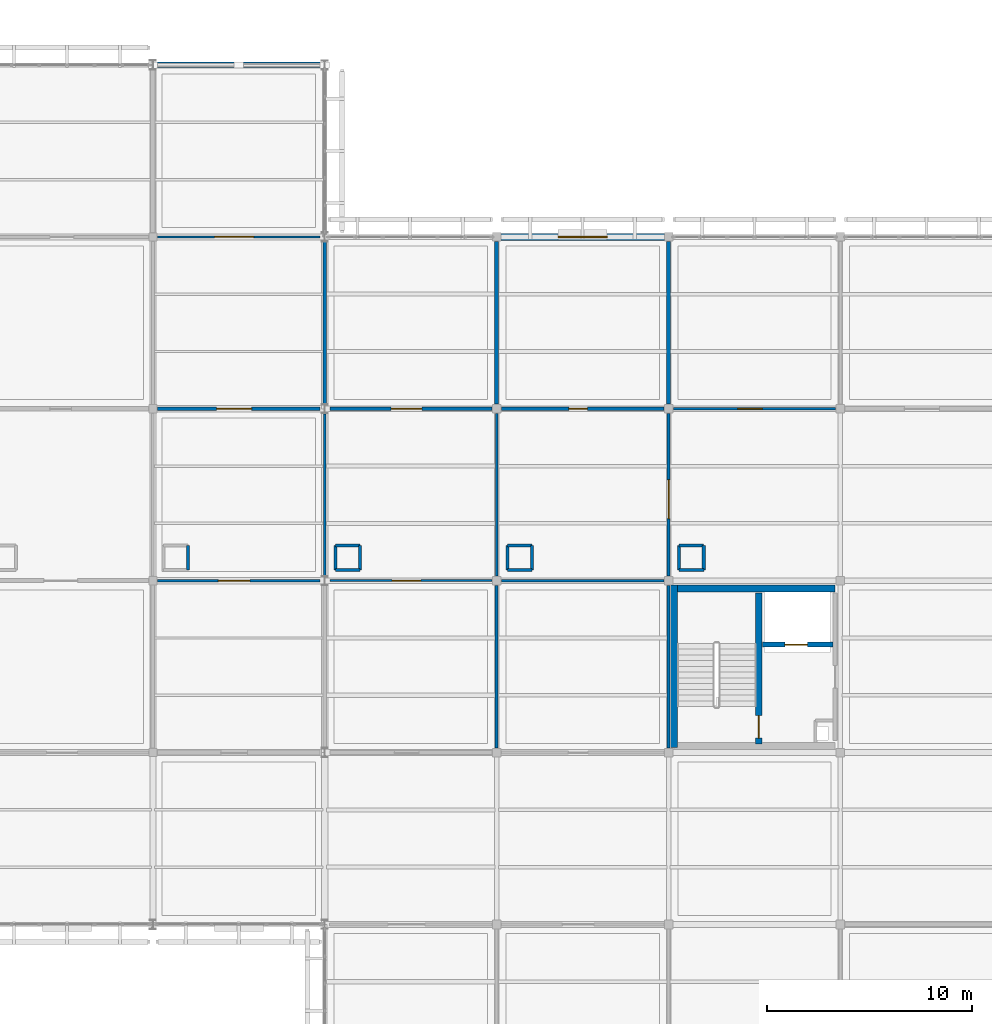
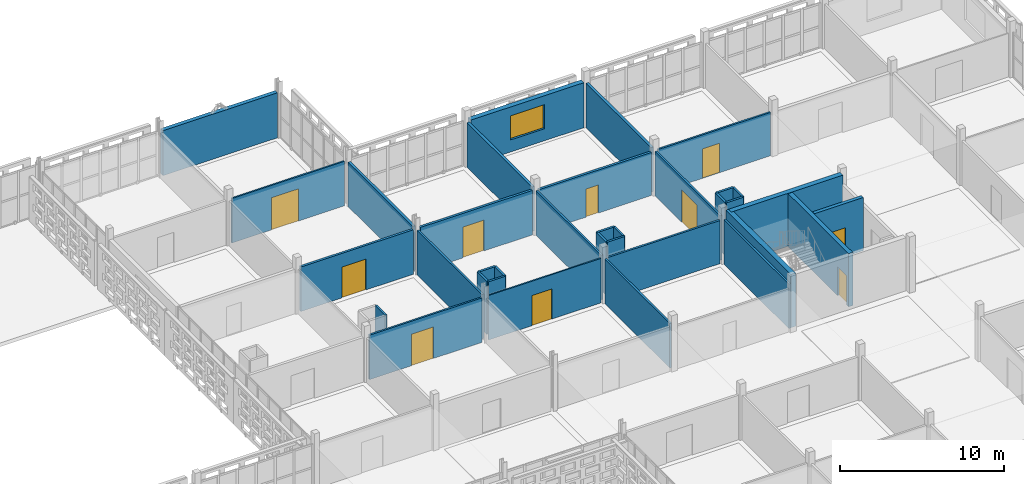
# One storey, part 106 of 166: 35 walls, 10 doors, 1 window, 11 openings.
"""IFC4 building model written with IfcOpenShell, lengths in metres."""

from ifc_helpers import new_model, si_unit, direction, frame, frame_2d, origin, place, context, subcontext, project, spatial, rectangle, extrude, material, layer, layer_set, type_object, element, fill, save


model = new_model("IFC4")

# Units and contexts
model_context = context("Model", 3, precision=1e-05, world=origin(), true_north=direction((0.0, 1.0)))
body_context = subcontext(model_context, "Body", "Model", "MODEL_VIEW")
ifc_project = project(units=[si_unit("LENGTHUNIT", "METRE"), si_unit("AREAUNIT", "SQUARE_METRE"), si_unit("VOLUMEUNIT", "CUBIC_METRE"), si_unit("PLANEANGLEUNIT", "RADIAN"), si_unit("MASSUNIT", "GRAM", prefix="KILO")], contexts=[model_context])

# Site, building, storey
site_placement = place(None, origin())
site = spatial("IfcSite", under=ifc_project, at=site_placement, CompositionType="ELEMENT")
building_placement = place(site_placement, origin())
building = spatial("IfcBuilding", under=site, at=building_placement, Name="Varnapada Polytechnic", CompositionType="ELEMENT")
storey_placement = place(building_placement, frame((0.0, 0.0, 9.60009765625)))
storey = spatial("IfcBuildingStorey", under=building, at=storey_placement, Name="L02", CompositionType="ELEMENT", Elevation=9.60009765625)

# Walls
ifc_material_1 = material(Name="Autoclaved Aerated Concrete Block AAC-600", Category="concrete")
ifc_layer_1 = layer(ifc_material_1, 0.14990234375)
ifc_layer_set_1 = layer_set([ifc_layer_1], Name="Autoclaved Aerated Concrete Block AAC-600")
wall_type_1 = type_object("IfcWallType", Name="Interior Wall IW-02", PredefinedType="PARTITIONING", material=ifc_layer_set_1)
wall_1_placement = place(storey_placement, frame((127.719970703125, 101.320068359375, 0.0), z_axis=(0.0, 0.0, 1.0), x_axis=(0.0, 1.0, 0.0)))
element("IfcWall", 1, at=wall_1_placement, inside=storey, type_object=wall_type_1, Name="L02 enclosed service riser wall (16,13) E", PredefinedType="PARTITIONING", context=body_context, shape_type="SweptSolid", body=[
    extrude(rectangle(XDim=1.199951171875, YDim=0.14990234375, at=frame_2d((0.60009765625, 0.0))), origin(), (0.0, 0.0, 1.0), 3.9599609375),
])
wall_2_placement = place(storey_placement, frame((134.919921875, 101.320068359375, 0.0), z_axis=(0.0, 0.0, 1.0), x_axis=(1.0, 0.0, 0.0)))
element("IfcWall", 2, at=wall_2_placement, inside=storey, type_object=wall_type_1, Name="L02 enclosed service riser wall (17,13) S", PredefinedType="PARTITIONING", context=body_context, shape_type="SweptSolid", body=[
    extrude(rectangle(XDim=1.2001953125, YDim=0.14990234375, at=frame_2d((0.60009765625, 0.0))), origin(), (0.0, 0.0, 1.0), 3.93994140625),
])
wall_3_placement = place(storey_placement, frame((136.1201171875, 101.320068359375, 0.0), z_axis=(0.0, 0.0, 1.0), x_axis=(0.0, 1.0, 0.0)))
element("IfcWall", 3, at=wall_3_placement, inside=storey, type_object=wall_type_1, Name="L02 enclosed service riser wall (17,13) E", PredefinedType="PARTITIONING", context=body_context, shape_type="SweptSolid", body=[
    extrude(rectangle(XDim=1.199951171875, YDim=0.14990234375, at=frame_2d((0.60009765625, 0.0))), origin(), (0.0, 0.0, 1.0), 3.93994140625),
])
wall_4_placement = place(storey_placement, frame((136.1201171875, 102.52001953125, 0.0), z_axis=(0.0, 0.0, 1.0), x_axis=(-1.0, 0.0, 0.0)))
element("IfcWall", 4, at=wall_4_placement, inside=storey, type_object=wall_type_1, Name="L02 enclosed service riser wall (17,13) N", PredefinedType="PARTITIONING", context=body_context, shape_type="SweptSolid", body=[
    extrude(rectangle(XDim=1.2001953125, YDim=0.14990234375, at=frame_2d((0.60009765625, 0.0))), origin(), (0.0, 0.0, 1.0), 3.93994140625),
])
wall_5_placement = place(storey_placement, frame((134.919921875, 102.52001953125, 0.0), z_axis=(0.0, 0.0, 1.0), x_axis=(0.0, -1.0, 0.0)))
element("IfcWall", 5, at=wall_5_placement, inside=storey, type_object=wall_type_1, Name="L02 enclosed service riser wall (17,13) W", PredefinedType="PARTITIONING", context=body_context, shape_type="SweptSolid", body=[
    extrude(rectangle(XDim=1.199951171875, YDim=0.14990234375, at=frame_2d((0.60009765625, 0.0))), origin(), (0.0, 0.0, 1.0), 3.93994140625),
])
for number, where, z_axis, x_axis, name in (
    (6, (143.320068359375, 101.320068359375, 0.0), (0.0, 0.0, 1.0), (1.0, 0.0, 0.0), "L02 enclosed service riser wall (18,13) S"),
    (7, (144.52001953125, 101.320068359375, 0.0), (0.0, 0.0, 1.0), (0.0, 1.0, 0.0), "L02 enclosed service riser wall (18,13) E"),
    (8, (144.52001953125, 102.52001953125, 0.0), (0.0, 0.0, 1.0), (-1.0, 0.0, 0.0), "L02 enclosed service riser wall (18,13) N"),
    (9, (143.320068359375, 102.52001953125, 0.0), (0.0, 0.0, 1.0), (0.0, -1.0, 0.0), "L02 enclosed service riser wall (18,13) W"),
    (10, (151.719970703125, 101.320068359375, 0.0), (0.0, 0.0, 1.0), (1.0, 0.0, 0.0), "L02 enclosed service riser wall (19,13) S"),
    (11, (152.919921875, 101.320068359375, 0.0), (0.0, 0.0, 1.0), (0.0, 1.0, 0.0), "L02 enclosed service riser wall (19,13) E"),
    (12, (152.919921875, 102.52001953125, 0.0), (0.0, 0.0, 1.0), (-1.0, 0.0, 0.0), "L02 enclosed service riser wall (19,13) N"),
    (13, (151.719970703125, 102.52001953125, 0.0), (0.0, 0.0, 1.0), (0.0, -1.0, 0.0), "L02 enclosed service riser wall (19,13) W"),
):
    element("IfcWall", number, at=place(storey_placement, frame(where, z_axis=z_axis, x_axis=x_axis)), inside=storey, type_object=wall_type_1, Name=name, PredefinedType="PARTITIONING", context=body_context, shape_type="SweptSolid", body=[
        extrude(rectangle(XDim=1.199951171875, YDim=0.14990234375, at=frame_2d((0.60009765625, 0.0))), origin(), (0.0, 0.0, 1.0), 3.9599609375),
    ])

# Wall, opening, door
ifc_material_2 = material(Name="Gypsum Plasterboard Acoustic Partition")
ifc_layer_2 = layer(ifc_material_2, 0.125)
ifc_layer_set_2 = layer_set([ifc_layer_2], Name="Gypsum Plasterboard Acoustic Partition")
wall_type_2 = type_object("IfcWallType", Name="Interior Wall IW-03", PredefinedType="PARTITIONING", material=ifc_layer_set_2)
wall_6_placement = place(storey_placement, frame((126.219970703125, 100.800048828125, 0.0), z_axis=(0.0, 0.0, 1.0), x_axis=(1.0, 0.0, 0.0)))
wall_6 = element("IfcWall", 14, at=wall_6_placement, inside=storey, type_object=wall_type_2, Name="L02 interior partition IW-L02-15-11-H", PredefinedType="PARTITIONING", context=body_context, shape_type="SweptSolid", body=[
    extrude(rectangle(XDim=7.93505859375, YDim=0.125, at=frame_2d((3.967529296875, 0.0))), origin(), (0.0, 0.0, 1.0), 3.31982421875),
])
opening_1_placement = place(wall_6_placement, frame((2.97509765625, 0.0, 0.0)))
opening_1 = element("IfcOpeningElement", 15, at=opening_1_placement, cuts=wall_6, Name="Opening D-1149", PredefinedType="OPENING", context=body_context, shape_type="SweptSolid", body=[
    extrude(rectangle(XDim=1.550048828125, YDim=2.35009765625, at=frame_2d((0.77490234375, 1.175048828125))), frame((0.0, 0.072509765625, 0.0), z_axis=(0.0, -1.0, 0.0), x_axis=(1.0, 0.0, 0.0)), (0.0, 0.0, 1.0), 0.14501953125),
])
ifc_material_3 = material(Name="Galvanized Steel Z275", Category="steel")
door_type_1 = type_object("IfcDoorType", Name="Interior Door ID-12", OperationType="NOTDEFINED", PredefinedType="DOOR", material=ifc_material_3)
door_1_placement = place(opening_1_placement, origin())
door_1 = element("IfcDoor", 16, at=door_1_placement, inside=storey, type_object=door_type_1, Name="L02 interior room door D-1149", OperationType="SINGLE_SWING_RIGHT", OverallHeight=2.35009765625, OverallWidth=1.550048828125, PredefinedType="DOOR", context=body_context, shape_type="SweptSolid", body=[
    extrude(rectangle(XDim=1.550048828125, YDim=2.35009765625, at=frame_2d((0.77490234375, 1.175048828125))), frame((0.0, 0.02490234375, 0.0), z_axis=(0.0, -1.0, 0.0), x_axis=(1.0, 0.0, 0.0)), (0.0, 0.0, 1.0), 0.050048828125),
])
fill(opening_1, door_1)

wall_7_placement = place(storey_placement, frame((151.429931640625, 109.199951171875, 0.0), z_axis=(0.0, 0.0, 1.0), x_axis=(1.0, 0.0, 0.0)))
wall_7 = element("IfcWall", 17, at=wall_7_placement, inside=storey, type_object=wall_type_2, Name="L02 interior partition IW-L02-18-12-H", PredefinedType="PARTITIONING", context=body_context, shape_type="SweptSolid", body=[
    extrude(rectangle(XDim=7.940185546875, YDim=0.125, at=frame_2d((3.97021484375, 0.0))), origin(), (0.0, 0.0, 1.0), 3.239990234375),
])
opening_2_placement = place(wall_7_placement, frame((3.14990234375, 0.0, 0.0)))
opening_2 = element("IfcOpeningElement", 18, at=opening_2_placement, cuts=wall_7, Name="Opening D-1176", PredefinedType="OPENING", context=body_context, shape_type="SweptSolid", body=[
    extrude(rectangle(XDim=1.199951171875, YDim=2.199951171875, at=frame_2d((0.60009765625, 1.10009765625))), frame((0.0, 0.072509765625, 0.0), z_axis=(0.0, -1.0, 0.0), x_axis=(1.0, 0.0, 0.0)), (0.0, 0.0, 1.0), 0.14501953125),
])
ifc_material_4 = material(Name="Solid Teak Hardwood Timber", Category="wood")
door_type_2 = type_object("IfcDoorType", Name="Interior Door ID-05", OperationType="NOTDEFINED", PredefinedType="DOOR", material=ifc_material_4)
door_2_placement = place(opening_2_placement, origin())
door_2 = element("IfcDoor", 19, at=door_2_placement, inside=storey, type_object=door_type_2, Name="L02 interior room door D-1176", OperationType="SINGLE_SWING_LEFT", OverallHeight=2.199951171875, OverallWidth=1.199951171875, PredefinedType="DOOR", context=body_context, shape_type="SweptSolid", body=[
    extrude(rectangle(XDim=1.199951171875, YDim=2.199951171875, at=frame_2d((0.60009765625, 1.10009765625))), frame((0.0, 0.02490234375, 0.0), z_axis=(0.0, -1.0, 0.0), x_axis=(1.0, 0.0, 0.0)), (0.0, 0.0, 1.0), 0.050048828125),
])
fill(opening_2, door_2)

# Walls
ifc_material_5 = material(Name="Moisture-Resistant Cement Board Partition")
ifc_layer_3 = layer(ifc_material_5, 0.139892578125)
ifc_layer_set_3 = layer_set([ifc_layer_3], Name="Moisture-Resistant Cement Board Partition")
wall_type_3 = type_object("IfcWallType", Name="Interior Wall IW-04", PredefinedType="PARTITIONING", material=ifc_layer_set_3)
wall_8_placement = place(storey_placement, frame((134.39990234375, 101.044921875, 0.0), z_axis=(0.0, 0.0, 1.0), x_axis=(0.0, 1.0, 0.0)))
element("IfcWall", 20, at=wall_8_placement, inside=storey, type_object=wall_type_3, Name="L02 interior partition IW-L02-15-12-V", PredefinedType="PARTITIONING", context=body_context, shape_type="SweptSolid", body=[
    extrude(rectangle(XDim=7.91015625, YDim=0.139892578125, at=frame_2d((3.955078125, 0.0))), origin(), (0.0, 0.0, 1.0), 3.31982421875),
])
for number, where, z_axis, x_axis, name in (
    (21, (142.800048828125, 92.6298828125, 0.0), (0.0, 0.0, 1.0), (0.0, 1.0, 0.0), "L02 interior partition IW-L02-16-11-V"),
    (22, (151.199951171875, 92.6298828125, 0.0), (0.0, 0.0, 1.0), (0.0, 1.0, 0.0), "L02 interior partition IW-L02-17-11-V"),
):
    element("IfcWall", number, at=place(storey_placement, frame(where, z_axis=z_axis, x_axis=x_axis)), inside=storey, type_object=wall_type_3, Name=name, PredefinedType="PARTITIONING", context=body_context, shape_type="SweptSolid", body=[
        extrude(rectangle(XDim=7.940185546875, YDim=0.139892578125, at=frame_2d((3.97021484375, 0.0))), origin(), (0.0, 0.0, 1.0), 3.31982421875),
    ])
wall_9_placement = place(storey_placement, frame((143.030029296875, 100.800048828125, 0.0), z_axis=(0.0, 0.0, 1.0), x_axis=(1.0, 0.0, 0.0)))
element("IfcWall", 23, at=wall_9_placement, inside=storey, type_object=wall_type_3, Name="L02 interior partition IW-L02-17-11-H", PredefinedType="PARTITIONING", context=body_context, shape_type="SweptSolid", body=[
    extrude(rectangle(XDim=7.93994140625, YDim=0.139892578125, at=frame_2d((3.969970703125, 0.0))), origin(), (0.0, 0.0, 1.0), 3.219970703125),
])

# Wall, opening, door
ifc_material_6 = material(Name="Cross-laminated timber CLT C24", Category="wood")
ifc_layer_4 = layer(ifc_material_6, 0.159912109375)
ifc_layer_set_4 = layer_set([ifc_layer_4], Name="Cross-laminated timber CLT C24")
wall_type_4 = type_object("IfcWallType", Name="Interior Wall IW-05", PredefinedType="PARTITIONING", material=ifc_layer_set_4)
wall_10_placement = place(storey_placement, frame((126.219970703125, 109.199951171875, 0.0), z_axis=(0.0, 0.0, 1.0), x_axis=(1.0, 0.0, 0.0)))
wall_10 = element("IfcWall", 24, at=wall_10_placement, inside=storey, type_object=wall_type_4, Name="L02 interior partition IW-L02-15-12-H", PredefinedType="PARTITIONING", context=body_context, shape_type="SweptSolid", body=[
    extrude(rectangle(XDim=7.93505859375, YDim=0.159912109375, at=frame_2d((3.967529296875, 0.0))), origin(), (0.0, 0.0, 1.0), 3.31982421875),
])
opening_3_placement = place(wall_10_placement, frame((2.89990234375, 0.0, 0.0)))
opening_3 = element("IfcOpeningElement", 25, at=opening_3_placement, cuts=wall_10, Name="Opening D-1150", PredefinedType="OPENING", context=body_context, shape_type="SweptSolid", body=[
    extrude(rectangle(XDim=1.699951171875, YDim=2.300048828125, at=frame_2d((0.85009765625, 1.14990234375))), frame((0.0, 0.08984375, 0.0), z_axis=(0.0, -1.0, 0.0), x_axis=(1.0, 0.0, 0.0)), (0.0, 0.0, 1.0), 0.179931640625),
])
ifc_material_7 = material(Name="Acoustic Double Timber Leaf", Category="wood")
door_type_3 = type_object("IfcDoorType", Name="Interior Door ID-13", OperationType="NOTDEFINED", PredefinedType="DOOR", material=ifc_material_7)
door_3_placement = place(opening_3_placement, origin())
door_3 = element("IfcDoor", 26, at=door_3_placement, inside=storey, type_object=door_type_3, Name="L02 interior room door D-1150", OperationType="SINGLE_SWING_LEFT", OverallHeight=2.300048828125, OverallWidth=1.699951171875, PredefinedType="DOOR", context=body_context, shape_type="SweptSolid", body=[
    extrude(rectangle(XDim=1.699951171875, YDim=2.300048828125, at=frame_2d((0.85009765625, 1.14990234375))), frame((0.0, 0.02490234375, 0.0), z_axis=(0.0, -1.0, 0.0), x_axis=(1.0, 0.0, 0.0)), (0.0, 0.0, 1.0), 0.050048828125),
])
fill(opening_3, door_3)

# Wall
ifc_material_8 = material(Name="Acoustic Double-Stud Studio Partition")
ifc_layer_5 = layer(ifc_material_8, 0.179931640625)
ifc_layer_set_5 = layer_set([ifc_layer_5], Name="Acoustic Double-Stud Studio Partition")
wall_type_5 = type_object("IfcWallType", Name="Interior Wall IW-06", PredefinedType="PARTITIONING", material=ifc_layer_set_5)
wall_11_placement = place(storey_placement, frame((134.39990234375, 109.445068359375, 0.0), z_axis=(0.0, 0.0, 1.0), x_axis=(0.0, 1.0, 0.0)))
element("IfcWall", 27, at=wall_11_placement, inside=storey, type_object=wall_type_5, Name="L02 interior partition IW-L02-15-13-V", PredefinedType="PARTITIONING", context=body_context, shape_type="SweptSolid", body=[
    extrude(rectangle(XDim=7.909912109375, YDim=0.179931640625, at=frame_2d((3.955078125, 0.0))), origin(), (0.0, 0.0, 1.0), 3.31982421875),
])

# Wall, opening, door
ifc_material_9 = material(Name="Glazed Timber-Framed Studio Screen", Category="wood")
ifc_layer_6 = layer(ifc_material_9, 0.110107421875)
ifc_layer_set_6 = layer_set([ifc_layer_6], Name="Glazed Timber-Framed Studio Screen")
wall_type_6 = type_object("IfcWallType", Name="Interior Wall IW-07", PredefinedType="PARTITIONING", material=ifc_layer_set_6)
wall_12_placement = place(storey_placement, frame((126.219970703125, 117.60009765625, 0.0), z_axis=(0.0, 0.0, 1.0), x_axis=(1.0, 0.0, 0.0)))
wall_12 = element("IfcWall", 28, at=wall_12_placement, inside=storey, type_object=wall_type_6, Name="L02 interior partition IW-L02-15-13-H", PredefinedType="PARTITIONING", context=body_context, shape_type="SweptSolid", body=[
    extrude(rectangle(XDim=7.93505859375, YDim=0.110107421875, at=frame_2d((3.967529296875, 0.0))), origin(), (0.0, 0.0, 1.0), 3.31982421875),
])
opening_4_placement = place(wall_12_placement, frame((2.800048828125, 0.0, 0.0)))
opening_4 = element("IfcOpeningElement", 29, at=opening_4_placement, cuts=wall_12, Name="Opening D-1151", PredefinedType="OPENING", context=body_context, shape_type="SweptSolid", body=[
    extrude(rectangle(XDim=1.89990234375, YDim=2.39990234375, at=frame_2d((0.949951171875, 1.199951171875))), frame((0.0, 0.06494140625, 0.0), z_axis=(0.0, -1.0, 0.0), x_axis=(1.0, 0.0, 0.0)), (0.0, 0.0, 1.0), 0.130126953125),
])
ifc_material_10 = material(Name="Heavy Workshop Double Steel Door", Category="steel")
door_type_4 = type_object("IfcDoorType", Name="Interior Door ID-14", OperationType="NOTDEFINED", PredefinedType="DOOR", material=ifc_material_10)
door_4_placement = place(opening_4_placement, frame((1.89990234375, 0.0, 0.0), z_axis=(0.0, 0.0, 1.0), x_axis=(-1.0, 0.0, 0.0)))
door_4 = element("IfcDoor", 30, at=door_4_placement, inside=storey, type_object=door_type_4, Name="L02 interior room door D-1151", OperationType="SINGLE_SWING_RIGHT", OverallHeight=2.39990234375, OverallWidth=1.89990234375, PredefinedType="DOOR", context=body_context, shape_type="SweptSolid", body=[
    extrude(rectangle(XDim=1.89990234375, YDim=2.39990234375, at=frame_2d((0.949951171875, 1.199951171875))), frame((0.0, 0.02490234375, 0.0), z_axis=(0.0, -1.0, 0.0), x_axis=(1.0, 0.0, 0.0)), (0.0, 0.0, 1.0), 0.050048828125),
])
fill(opening_4, door_4)

ifc_material_11 = material(Name="Operable Acoustic Seminar Partition")
ifc_layer_7 = layer(ifc_material_11, 0.10009765625)
ifc_layer_set_7 = layer_set([ifc_layer_7], Name="Operable Acoustic Seminar Partition")
wall_type_7 = type_object("IfcWallType", Name="Interior Wall IW-08", PredefinedType="MOVABLE", material=ifc_layer_set_7)
wall_13_placement = place(storey_placement, frame((134.64501953125, 100.800048828125, 0.0), z_axis=(0.0, 0.0, 1.0), x_axis=(1.0, 0.0, 0.0)))
wall_13 = element("IfcWall", 31, at=wall_13_placement, inside=storey, type_object=wall_type_7, Name="L02 interior partition IW-L02-16-11-H", PredefinedType="MOVABLE", context=body_context, shape_type="SweptSolid", body=[
    extrude(rectangle(XDim=7.925048828125, YDim=0.10009765625, at=frame_2d((3.96240234375, 0.0))), origin(), (0.0, 0.0, 1.0), 3.31982421875),
])
opening_5_placement = place(wall_13_placement, frame((3.050048828125, 0.0, 0.0)))
opening_5 = element("IfcOpeningElement", 32, at=opening_5_placement, cuts=wall_13, Name="Opening D-1160", PredefinedType="OPENING", context=body_context, shape_type="SweptSolid", body=[
    extrude(rectangle(XDim=1.39990234375, YDim=2.25, at=frame_2d((0.699951171875, 1.125))), frame((0.0, 0.06005859375, 0.0), z_axis=(0.0, -1.0, 0.0), x_axis=(1.0, 0.0, 0.0)), (0.0, 0.0, 1.0), 0.1201171875),
])
ifc_material_12 = material(Name="Powder-Coated Aluminium 6063-T6", Category="aluminium")
door_type_5 = type_object("IfcDoorType", Name="Interior Door ID-06", OperationType="NOTDEFINED", PredefinedType="DOOR", material=ifc_material_12)
door_5_placement = place(opening_5_placement, frame((1.39990234375, 0.0, 0.0), z_axis=(0.0, 0.0, 1.0), x_axis=(-1.0, 0.0, 0.0)))
door_5 = element("IfcDoor", 33, at=door_5_placement, inside=storey, type_object=door_type_5, Name="L02 interior room door D-1160", OperationType="SINGLE_SWING_LEFT", OverallHeight=2.25, OverallWidth=1.39990234375, PredefinedType="DOOR", context=body_context, shape_type="SweptSolid", body=[
    extrude(rectangle(XDim=1.39990234375, YDim=2.25, at=frame_2d((0.699951171875, 1.125))), frame((0.0, 0.02490234375, 0.0), z_axis=(0.0, -1.0, 0.0), x_axis=(1.0, 0.0, 0.0)), (0.0, 0.0, 1.0), 0.050048828125),
])
fill(opening_5, door_5)

# Wall
ifc_material_13 = material(Name="Calcium Silicate Acoustic Lab Partition")
ifc_layer_8 = layer(ifc_material_13, 0.135009765625)
ifc_layer_set_8 = layer_set([ifc_layer_8], Name="Calcium Silicate Acoustic Lab Partition")
wall_type_8 = type_object("IfcWallType", Name="Interior Wall IW-09", PredefinedType="PARTITIONING", material=ifc_layer_set_8)
wall_14_placement = place(storey_placement, frame((142.800048828125, 101.030029296875, 0.0), z_axis=(0.0, 0.0, 1.0), x_axis=(0.0, 1.0, 0.0)))
element("IfcWall", 34, at=wall_14_placement, inside=storey, type_object=wall_type_8, Name="L02 interior partition IW-L02-16-12-V", PredefinedType="PARTITIONING", context=body_context, shape_type="SweptSolid", body=[
    extrude(rectangle(XDim=7.93994140625, YDim=0.135009765625, at=frame_2d((3.969970703125, 0.0))), origin(), (0.0, 0.0, 1.0), 3.31982421875),
])

# Wall, opening, door
wall_15_placement = place(storey_placement, frame((151.199951171875, 101.030029296875, 0.0), z_axis=(0.0, 0.0, 1.0), x_axis=(0.0, 1.0, 0.0)))
wall_15 = element("IfcWall", 35, at=wall_15_placement, inside=storey, type_object=wall_type_8, Name="L02 interior partition IW-L02-17-12-V", PredefinedType="PARTITIONING", context=body_context, shape_type="SweptSolid", body=[
    extrude(rectangle(XDim=7.93994140625, YDim=0.135009765625, at=frame_2d((3.969970703125, 0.0))), origin(), (0.0, 0.0, 1.0), 3.31982421875),
])
opening_6_placement = place(wall_15_placement, frame((2.800048828125, 0.0, 0.0)))
opening_6 = element("IfcOpeningElement", 36, at=opening_6_placement, cuts=wall_15, Name="Opening D-1168", PredefinedType="OPENING", context=body_context, shape_type="SweptSolid", body=[
    extrude(rectangle(XDim=1.89990234375, YDim=2.39990234375, at=frame_2d((0.949951171875, 1.199951171875))), frame((0.0, 0.077392578125, 0.0), z_axis=(0.0, -1.0, 0.0), x_axis=(1.0, 0.0, 0.0)), (0.0, 0.0, 1.0), 0.155029296875),
])
door_6_placement = place(opening_6_placement, origin())
door_6 = element("IfcDoor", 37, at=door_6_placement, inside=storey, type_object=door_type_4, Name="L02 interior room door D-1168", OperationType="SINGLE_SWING_LEFT", OverallHeight=2.39990234375, OverallWidth=1.89990234375, PredefinedType="DOOR", context=body_context, shape_type="SweptSolid", body=[
    extrude(rectangle(XDim=1.89990234375, YDim=2.39990234375, at=frame_2d((0.949951171875, 1.199951171875))), frame((0.0, 0.02490234375, 0.0), z_axis=(0.0, -1.0, 0.0), x_axis=(1.0, 0.0, 0.0)), (0.0, 0.0, 1.0), 0.050048828125),
])
fill(opening_6, door_6)

ifc_material_14 = material(Name="Double-Layer Fireboard Workshop Wall")
ifc_layer_9 = layer(ifc_material_14, 0.169921875)
ifc_layer_set_9 = layer_set([ifc_layer_9], Name="Double-Layer Fireboard Workshop Wall")
wall_type_9 = type_object("IfcWallType", Name="Interior Wall IW-10", PredefinedType="PARTITIONING", material=ifc_layer_set_9)
wall_16_placement = place(storey_placement, frame((134.64501953125, 109.199951171875, 0.0), z_axis=(0.0, 0.0, 1.0), x_axis=(1.0, 0.0, 0.0)))
wall_16 = element("IfcWall", 38, at=wall_16_placement, inside=storey, type_object=wall_type_9, Name="L02 interior partition IW-L02-16-12-H", PredefinedType="PARTITIONING", context=body_context, shape_type="SweptSolid", body=[
    extrude(rectangle(XDim=7.925048828125, YDim=0.169921875, at=frame_2d((3.96240234375, 0.0))), origin(), (0.0, 0.0, 1.0), 3.31982421875),
])
opening_7_placement = place(wall_16_placement, frame((3.0, 0.0, 0.0)))
opening_7 = element("IfcOpeningElement", 39, at=opening_7_placement, cuts=wall_16, Name="Opening D-1161", PredefinedType="OPENING", context=body_context, shape_type="SweptSolid", body=[
    extrude(rectangle(XDim=1.5, YDim=2.300048828125, at=frame_2d((0.75, 1.14990234375))), frame((0.0, 0.094970703125, 0.0), z_axis=(0.0, -1.0, 0.0), x_axis=(1.0, 0.0, 0.0)), (0.0, 0.0, 1.0), 0.18994140625),
])
door_type_6 = type_object("IfcDoorType", Name="Interior Door ID-07", OperationType="NOTDEFINED", PredefinedType="DOOR", material=ifc_material_3)
door_7_placement = place(opening_7_placement, origin())
door_7 = element("IfcDoor", 40, at=door_7_placement, inside=storey, type_object=door_type_6, Name="L02 interior room door D-1161", OperationType="SINGLE_SWING_RIGHT", OverallHeight=2.300048828125, OverallWidth=1.5, PredefinedType="DOOR", context=body_context, shape_type="SweptSolid", body=[
    extrude(rectangle(XDim=1.5, YDim=2.300048828125, at=frame_2d((0.75, 1.14990234375))), frame((0.0, 0.02490234375, 0.0), z_axis=(0.0, -1.0, 0.0), x_axis=(1.0, 0.0, 0.0)), (0.0, 0.0, 1.0), 0.050048828125),
])
fill(opening_7, door_7)

wall_17_placement = place(storey_placement, frame((143.030029296875, 109.199951171875, 0.0), z_axis=(0.0, 0.0, 1.0), x_axis=(1.0, 0.0, 0.0)))
wall_17 = element("IfcWall", 41, at=wall_17_placement, inside=storey, type_object=wall_type_9, Name="L02 interior partition IW-L02-17-12-H", PredefinedType="PARTITIONING", context=body_context, shape_type="SweptSolid", body=[
    extrude(rectangle(XDim=7.93994140625, YDim=0.169921875, at=frame_2d((3.969970703125, 0.0))), origin(), (0.0, 0.0, 1.0), 3.2099609375),
])
opening_8_placement = place(wall_17_placement, frame((3.300048828125, 0.0, 0.0)))
opening_8 = element("IfcOpeningElement", 42, at=opening_8_placement, cuts=wall_17, Name="Opening D-1169", PredefinedType="OPENING", context=body_context, shape_type="SweptSolid", body=[
    extrude(rectangle(XDim=0.89990234375, YDim=2.10009765625, at=frame_2d((0.449951171875, 1.050048828125))), frame((0.0, 0.094970703125, 0.0), z_axis=(0.0, -1.0, 0.0), x_axis=(1.0, 0.0, 0.0)), (0.0, 0.0, 1.0), 0.18994140625),
])
ifc_material_15 = material(Name="Moisture-Resistant HPL Timber", Category="wood")
door_type_7 = type_object("IfcDoorType", Name="Interior Door ID-15", OperationType="NOTDEFINED", PredefinedType="DOOR", material=ifc_material_15)
door_8_placement = place(opening_8_placement, frame((0.89990234375, 0.0, 0.0), z_axis=(0.0, 0.0, 1.0), x_axis=(-1.0, 0.0, 0.0)))
door_8 = element("IfcDoor", 43, at=door_8_placement, inside=storey, type_object=door_type_7, Name="L02 interior room door D-1169", OperationType="SINGLE_SWING_RIGHT", OverallHeight=2.10009765625, OverallWidth=0.89990234375, PredefinedType="DOOR", context=body_context, shape_type="SweptSolid", body=[
    extrude(rectangle(XDim=0.89990234375, YDim=2.10009765625, at=frame_2d((0.449951171875, 1.050048828125))), frame((0.0, 0.02490234375, 0.0), z_axis=(0.0, -1.0, 0.0), x_axis=(1.0, 0.0, 0.0)), (0.0, 0.0, 1.0), 0.050048828125),
])
fill(opening_8, door_8)

# Walls
ifc_material_16 = material(Name="Insulated Masonry Plant Room Wall", Category="masonry")
ifc_layer_10 = layer(ifc_material_16, 0.18994140625)
ifc_layer_set_10 = layer_set([ifc_layer_10], Name="Insulated Masonry Plant Room Wall")
wall_type_10 = type_object("IfcWallType", Name="Interior Wall IW-11", PredefinedType="PARTITIONING", material=ifc_layer_set_10)
for number, where, z_axis, x_axis, name in (
    (44, (142.800048828125, 109.429931640625, 0.0), (0.0, 0.0, 1.0), (0.0, 1.0, 0.0), "L02 interior partition IW-L02-16-13-V"),
    (45, (151.199951171875, 109.429931640625, 0.0), (0.0, 0.0, 1.0), (0.0, 1.0, 0.0), "L02 interior partition IW-L02-17-13-V"),
):
    element("IfcWall", number, at=place(storey_placement, frame(where, z_axis=z_axis, x_axis=x_axis)), inside=storey, type_object=wall_type_10, Name=name, PredefinedType="PARTITIONING", context=body_context, shape_type="SweptSolid", body=[
        extrude(rectangle(XDim=7.940185546875, YDim=0.18994140625, at=frame_2d((3.97021484375, 0.0))), origin(), (0.0, 0.0, 1.0), 3.31982421875),
    ])
ifc_material_17 = material(Name="Concrete C40/50", Category="concrete")
ifc_layer_11 = layer(ifc_material_17, 0.35009765625)
ifc_layer_set_11 = layer_set([ifc_layer_11], Name="Concrete C40/50")
wall_type_11 = type_object("IfcWallType", Name="Interior Wall SW-01", PredefinedType="SHEAR", material=ifc_layer_set_11)
wall_18_placement = place(storey_placement, frame((151.465087890625, 92.64990234375, 0.0), z_axis=(0.0, 0.0, 1.0), x_axis=(0.0, 1.0, 0.0)))
element("IfcWall", 46, at=wall_18_placement, inside=storey, type_object=wall_type_11, Name="L02 C5 stair west shear wall", PredefinedType="SHEAR", context=body_context, shape_type="SweptSolid", body=[
    extrude(rectangle(XDim=7.940185546875, YDim=0.35009765625, at=frame_2d((3.97021484375, 0.0))), origin(), (0.0, 0.0, 1.0), 3.9599609375),
])
wall_19_placement = place(storey_placement, frame((151.465087890625, 100.419921875, 0.0), z_axis=(0.0, 0.0, 1.0), x_axis=(1.0, 0.0, 0.0)))
element("IfcWall", 47, at=wall_19_placement, inside=storey, type_object=wall_type_11, Name="L02 C5 core north shear wall", PredefinedType="SHEAR", context=body_context, shape_type="SweptSolid", body=[
    extrude(rectangle(XDim=7.875, YDim=0.35009765625, at=frame_2d((3.9375, 0.0))), origin(), (0.0, 0.0, 1.0), 3.9599609375),
])

# Wall, opening, door
ifc_layer_12 = layer(ifc_material_17, 0.300048828125)
ifc_layer_set_12 = layer_set([ifc_layer_12], Name="Concrete C40/50")
wall_type_12 = type_object("IfcWallType", Name="Interior Wall SW-02", PredefinedType="SHEAR", material=ifc_layer_set_12)
wall_20_placement = place(storey_placement, frame((155.610107421875, 92.820068359375, 0.0), z_axis=(0.0, 0.0, 1.0), x_axis=(0.0, 1.0, 0.0)))
wall_20 = element("IfcWall", 48, at=wall_20_placement, inside=storey, type_object=wall_type_12, Name="L02 C5 stair-lobby dividing shear wall", PredefinedType="SHEAR", context=body_context, shape_type="SweptSolid", body=[
    extrude(rectangle(XDim=7.3798828125, YDim=0.300048828125, at=frame_2d((3.68994140625, 0.0))), origin(), (0.0, 0.0, 1.0), 3.9599609375),
])
opening_9_placement = place(wall_20_placement, frame((0.280029296875, 0.0, 0.0)))
opening_9 = element("IfcOpeningElement", 49, at=opening_9_placement, cuts=wall_20, Name="Opening D-1095", PredefinedType="OPENING", context=body_context, shape_type="SweptSolid", body=[
    extrude(rectangle(XDim=1.10009765625, YDim=2.14990234375, at=frame_2d((0.550048828125, 1.074951171875))), frame((0.0, 0.159912109375, 0.0), z_axis=(0.0, -1.0, 0.0), x_axis=(1.0, 0.0, 0.0)), (0.0, 0.0, 1.0), 0.320068359375),
])
door_type_8 = type_object("IfcDoorType", Name="Interior Door ID-01", OperationType="NOTDEFINED", PredefinedType="DOOR", material=ifc_material_3)
door_9_placement = place(opening_9_placement, origin())
door_9 = element("IfcDoor", 50, at=door_9_placement, inside=storey, type_object=door_type_8, Name="L02 C5 exit stair door D-1095", OperationType="SINGLE_SWING_RIGHT", OverallHeight=2.14990234375, OverallWidth=1.10009765625, PredefinedType="DOOR", context=body_context, shape_type="SweptSolid", body=[
    extrude(rectangle(XDim=1.10009765625, YDim=2.14990234375, at=frame_2d((0.550048828125, 1.074951171875))), frame((0.0, 0.02490234375, 0.0), z_axis=(0.0, -1.0, 0.0), x_axis=(1.0, 0.0, 0.0)), (0.0, 0.0, 1.0), 0.050048828125),
])
fill(opening_9, door_9)

ifc_layer_13 = layer(ifc_material_17, 0.25)
ifc_layer_set_13 = layer_set([ifc_layer_13], Name="Concrete C40/50")
wall_type_13 = type_object("IfcWallType", Name="Interior Wall SW-05", PredefinedType="SHEAR", material=ifc_layer_set_13)
wall_21_placement = place(storey_placement, frame((155.780029296875, 97.679931640625, 0.0), z_axis=(0.0, 0.0, 1.0), x_axis=(1.0, 0.0, 0.0)))
wall_21 = element("IfcWall", 51, at=wall_21_placement, inside=storey, type_object=wall_type_13, Name="L02 C5 lift shaft front wall", PredefinedType="SHEAR", context=body_context, shape_type="SweptSolid", body=[
    extrude(rectangle(XDim=3.4599609375, YDim=0.25, at=frame_2d((1.72998046875, 0.0))), origin(), (0.0, 0.0, 1.0), 3.9599609375),
])
opening_10_placement = place(wall_21_placement, frame((1.10009765625, 0.0, 0.0)))
opening_10 = element("IfcOpeningElement", 52, at=opening_10_placement, cuts=wall_21, Name="Opening LD-024", PredefinedType="OPENING", context=body_context, shape_type="SweptSolid", body=[
    extrude(rectangle(XDim=1.10009765625, YDim=2.14990234375, at=frame_2d((0.550048828125, 1.074951171875))), frame((0.0, 0.135009765625, 0.0), z_axis=(0.0, -1.0, 0.0), x_axis=(1.0, 0.0, 0.0)), (0.0, 0.0, 1.0), 0.27001953125),
])
ifc_material_18 = material(Name="Brushed Stainless Steel 316", Category="steel")
door_type_9 = type_object("IfcDoorType", Name="Interior Door LD-01", OperationType="NOTDEFINED", PredefinedType="DOOR", material=ifc_material_18)
door_10_placement = place(opening_10_placement, origin())
door_10 = element("IfcDoor", 53, at=door_10_placement, inside=storey, type_object=door_type_9, Name="L02 LFT-05 sliding lift landing door LD-024", OperationType="DOUBLE_DOOR_SLIDING", OverallHeight=2.14990234375, OverallWidth=1.10009765625, PredefinedType="DOOR", context=body_context, shape_type="SweptSolid", body=[
    extrude(rectangle(XDim=1.10009765625, YDim=2.14990234375, at=frame_2d((0.550048828125, 1.074951171875))), frame((0.0, 0.02490234375, 0.0), z_axis=(0.0, -1.0, 0.0), x_axis=(1.0, 0.0, 0.0)), (0.0, 0.0, 1.0), 0.050048828125),
])
fill(opening_10, door_10)

# Wall
ifc_material_19 = material(Name="Precast concrete C40/50", Category="concrete")
ifc_layer_14 = layer(ifc_material_19, 0.280029296875)
ifc_layer_set_14 = layer_set([ifc_layer_14], Name="Precast concrete C40/50")
wall_type_14 = type_object("IfcWallType", Name="Wall EW-02", PredefinedType="SOLIDWALL", material=ifc_layer_set_14)
wall_22_placement = place(storey_placement, frame((126.14990234375, 126.0, 0.0), z_axis=(0.0, 0.0, 1.0), x_axis=(1.0, 0.0, 0.0)))
element("IfcWall", 54, at=wall_22_placement, inside=storey, type_object=wall_type_14, Name="L02 exterior wall EW-02 (77)", PredefinedType="SOLIDWALL", context=body_context, shape_type="SweptSolid", body=[
    extrude(rectangle(XDim=8.10009765625, YDim=0.280029296875, at=frame_2d((4.050048828125, 0.0))), origin(), (0.0, 0.0, 1.0), 3.35986328125),
])

# Wall, opening, window
ifc_layer_15 = layer(ifc_material_19, 0.340087890625)
ifc_layer_set_15 = layer_set([ifc_layer_15], Name="Precast concrete C40/50")
wall_type_15 = type_object("IfcWallType", Name="Wall EW-07", PredefinedType="SOLIDWALL", material=ifc_layer_set_15)
wall_23_placement = place(storey_placement, frame((143.010009765625, 117.60009765625, 0.0), z_axis=(0.0, 0.0, 1.0), x_axis=(1.0, 0.0, 0.0)))
wall_23 = element("IfcWall", 55, at=wall_23_placement, inside=storey, type_object=wall_type_15, Name="L02 exterior wall EW-07 (94)", PredefinedType="SOLIDWALL", context=body_context, shape_type="SweptSolid", body=[
    extrude(rectangle(XDim=7.97998046875, YDim=0.340087890625, at=frame_2d((3.989990234375, 0.0))), origin(), (0.0, 0.0, 1.0), 3.35986328125),
])
opening_11_placement = place(wall_23_placement, frame((2.7900390625, 0.0, 0.89990234375)))
opening_11 = element("IfcOpeningElement", 56, at=opening_11_placement, cuts=wall_23, Name="Opening WN-02", PredefinedType="OPENING", context=body_context, shape_type="SweptSolid", body=[
    extrude(rectangle(XDim=2.39990234375, YDim=1.800048828125, at=frame_2d((1.199951171875, 0.89990234375))), frame((0.0, 0.179931640625, 0.0), z_axis=(0.0, -1.0, 0.0), x_axis=(1.0, 0.0, 0.0)), (0.0, 0.0, 1.0), 0.360107421875),
])
ifc_material_20 = material(Name="Double low-E laminated glass", Category="glass")
window_type = type_object("IfcWindowType", Name="Window WN-02", PartitioningType="SINGLE_PANEL", PredefinedType="WINDOW", material=ifc_material_20)
window_placement = place(opening_11_placement, origin())
window = element("IfcWindow", 57, at=window_placement, inside=storey, type_object=window_type, Name="L02 window WN-02 (125)", OverallHeight=1.800048828125, OverallWidth=2.39990234375, PartitioningType="SINGLE_PANEL", PredefinedType="WINDOW", context=body_context, shape_type="SweptSolid", body=[
    extrude(rectangle(XDim=2.39990234375, YDim=1.800048828125, at=frame_2d((1.199951171875, 0.89990234375))), frame((0.0, 0.030029296875, 0.0), z_axis=(0.0, -1.0, 0.0), x_axis=(1.0, 0.0, 0.0)), (0.0, 0.0, 1.0), 0.06005859375),
])
fill(opening_11, window)

save(model, "model.ifc")
